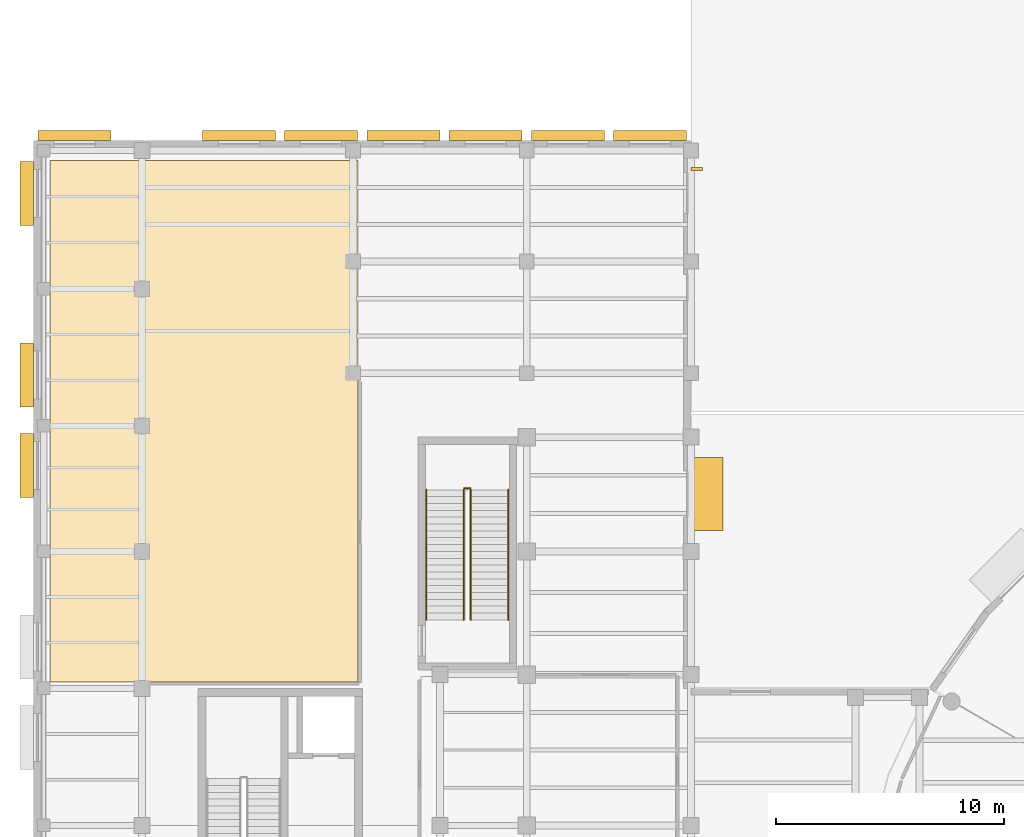
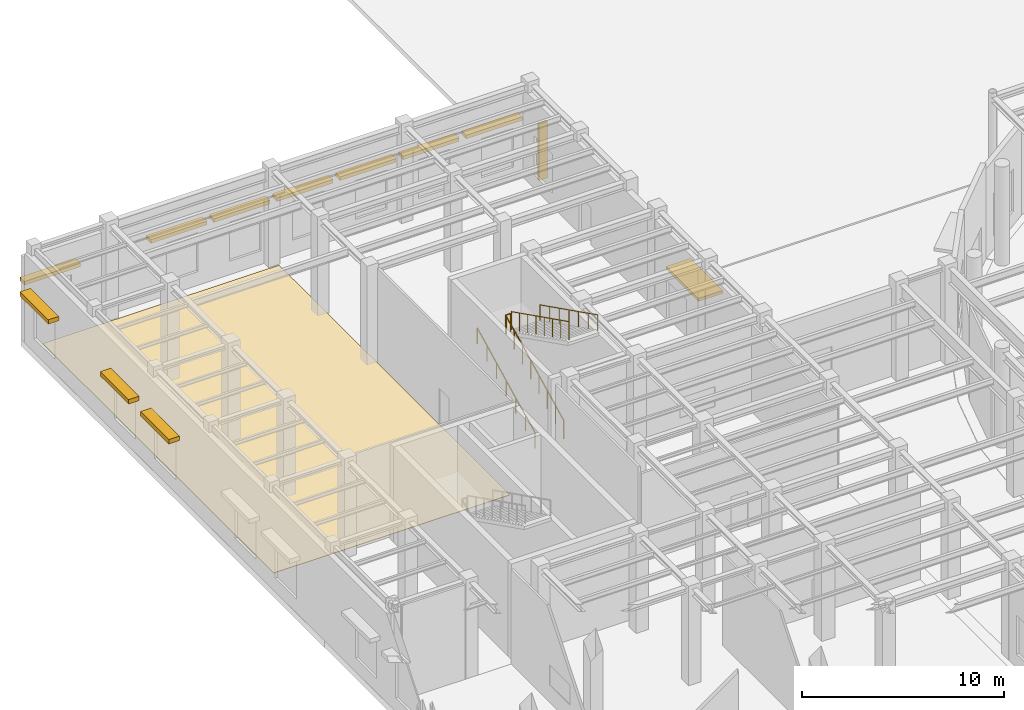
# One storey, part 109 of 118: 12 shading devices, 5 railings, 1 covering, 1 element without a shape of its own.
"""IFC4 building model written with IfcOpenShell, lengths in metres."""

from ifc_helpers import new_model, si_unit, direction, frame, origin, origin_2d, place, context, subcontext, project, spatial, polyline, rectangle, circle, outline, extrude, material, layer, layer_set, type_object, element, aggregate, save


model = new_model("IFC4")

# Units and contexts
model_context = context("Model", 3, precision=1e-05, world=origin(), true_north=direction((0.0, 1.0)))
body_context = subcontext(model_context, "Body", "Model", "MODEL_VIEW")
ifc_project = project(units=[si_unit("LENGTHUNIT", "METRE"), si_unit("AREAUNIT", "SQUARE_METRE"), si_unit("VOLUMEUNIT", "CUBIC_METRE"), si_unit("PLANEANGLEUNIT", "RADIAN"), si_unit("MASSUNIT", "GRAM", prefix="KILO")], contexts=[model_context])

# Site, building, storey
site_placement = place(None, origin())
site = spatial("IfcSite", under=ifc_project, at=site_placement, CompositionType="ELEMENT")
building_placement = place(site_placement, origin())
building = spatial("IfcBuilding", under=site, at=building_placement, Name="Kolvaren Corner Interchange", CompositionType="ELEMENT")
storey_placement = place(building_placement, origin())
storey = spatial("IfcBuildingStorey", under=building, at=storey_placement, Name="L01", CompositionType="ELEMENT", Elevation=0.0)

# Covering
ifc_material_1 = material(Name="Polished Niger Delta Granite Terrazzo Flooring", Category="masonry")
ifc_layer = layer(ifc_material_1, 0.030029296875)
ifc_layer_set = layer_set([ifc_layer], Name="Polished Niger Delta Granite Terrazzo Flooring")
covering_type = type_object("IfcCoveringType", Name="COV-FLR-TER30", PredefinedType="FLOORING", material=ifc_layer_set)
covering_placement = place(storey_placement, origin())
element("IfcCovering", 1, at=covering_placement, inside=storey, type_object=covering_type, Name="L01 Station Security and Lost Property Floor Finish", PredefinedType="FLOORING", context=body_context, shape_type="SweptSolid", body=[
    extrude(outline(polyline([(0.72998046875, 60.280029296875), (14.219970703125, 60.280029296875), (14.219970703125, 83.1201171875), (0.72998046875, 83.1201171875), (0.72998046875, 60.280029296875)])), origin(), (0.0, 0.0, 1.0), 0.030029296875),
])

# Stair, railings
ifc_material_2 = material(Name="Concrete C35/45", Category="concrete")
stair_type = type_object("IfcStairType", Name="ST-OP-1750", PredefinedType="HALF_TURN_STAIR", material=ifc_material_2)
stair_placement = place(storey_placement, origin())
stair = element("IfcStair", 2, at=stair_placement, inside=storey, type_object=stair_type, Name="Operations North Wing Protected Exit Stair L01 to L02 Stair", PredefinedType="HALF_TURN_STAIR")
ifc_material_3 = material(Name="Powder-Coated Steel Stairwell Guardrail", Category="steel")
railing_type_1 = type_object("IfcRailingType", Name="RLT-STAIR-GRD1120", PredefinedType="GUARDRAIL", material=ifc_material_3)
railing_1_placement = place(storey_placement, frame((18.85009765625, 63.0, 0.14990234375)))
railing_1 = element("IfcRailing", 3, at=railing_1_placement, type_object=railing_type_1, Name="Operations North Wing Protected Exit Stair L01 Lower Flight Well Guardrail", PredefinedType="GUARDRAIL", context=body_context, shape_type="SweptSolid", body=[
    extrude(circle(Radius=0.02392578125, at=origin_2d()), frame((0.0, 0.0, 1.09619140625), z_axis=(0.0, 0.894419528903, 0.447228919365), x_axis=(-1.0, 0.0, 0.0)), (0.0, 0.0, 1.0), 6.372802734375),
    extrude(circle(Radius=0.02001953125, at=origin_2d()), origin(), (0.0, 0.0, 1.0), 1.072021484375),
    extrude(circle(Radius=0.02001953125, at=origin_2d()), frame((0.0, 0.814208984375, 0.4072265625)), (0.0, 0.0, 1.0), 1.072021484375),
    extrude(circle(Radius=0.02001953125, at=origin_2d()), frame((0.0, 1.628662109375, 0.814208984375)), (0.0, 0.0, 1.0), 1.072021484375),
    extrude(circle(Radius=0.02001953125, at=origin_2d()), frame((0.0, 2.44287109375, 1.221435546875)), (0.0, 0.0, 1.0), 1.072021484375),
    extrude(circle(Radius=0.02001953125, at=origin_2d()), frame((0.0, 3.257080078125, 1.628662109375)), (0.0, 0.0, 1.0), 1.072021484375),
    extrude(circle(Radius=0.02001953125, at=origin_2d()), frame((0.0, 4.0712890625, 2.035888671875)), (0.0, 0.0, 1.0), 1.072021484375),
    extrude(circle(Radius=0.02001953125, at=origin_2d()), frame((0.0, 4.8857421875, 2.44287109375)), (0.0, 0.0, 1.0), 1.072021484375),
    extrude(circle(Radius=0.02001953125, at=origin_2d()), frame((0.0, 5.699951171875, 2.85009765625)), (0.0, 0.0, 1.0), 1.072021484375),
])
railing_2_placement = place(storey_placement, frame((18.860107421875, 68.760009765625, 3.0)))
railing_2 = element("IfcRailing", 4, at=railing_2_placement, type_object=railing_type_1, Name="Operations North Wing Protected Exit Stair L01 Half Landing Well Guardrail", PredefinedType="GUARDRAIL", context=body_context, shape_type="SweptSolid", body=[
    extrude(circle(Radius=0.02392578125, at=origin_2d()), frame((0.0, 0.0, 1.09619140625), z_axis=(1.0, 0.0, 0.0), x_axis=(0.0, 1.0, 0.0)), (0.0, 0.0, 1.0), 0.27978515625),
    extrude(circle(Radius=0.02001953125, at=origin_2d()), origin(), (0.0, 0.0, 1.0), 1.072021484375),
    extrude(circle(Radius=0.02001953125, at=origin_2d()), frame((0.27978515625, 0.0, 0.0)), (0.0, 0.0, 1.0), 1.072021484375),
])
railing_3_placement = place(storey_placement, frame((19.14990234375, 68.699951171875, 3.14990234375)))
railing_3 = element("IfcRailing", 5, at=railing_3_placement, type_object=railing_type_1, Name="Operations North Wing Protected Exit Stair L01 Upper Flight Well Guardrail", PredefinedType="GUARDRAIL", context=body_context, shape_type="SweptSolid", body=[
    extrude(circle(Radius=0.02392578125, at=origin_2d()), frame((0.0, 0.0, 1.09619140625), z_axis=(0.0, -0.894419528903, 0.447228919365), x_axis=(1.0, 0.0, 0.0)), (0.0, 0.0, 1.0), 6.372802734375),
    extrude(circle(Radius=0.02001953125, at=origin_2d()), origin(), (0.0, 0.0, 1.0), 1.072021484375),
    extrude(circle(Radius=0.02001953125, at=origin_2d()), frame((0.0, -0.814208984375, 0.4072265625)), (0.0, 0.0, 1.0), 1.072021484375),
    extrude(circle(Radius=0.02001953125, at=origin_2d()), frame((0.0, -1.628662109375, 0.814208984375)), (0.0, 0.0, 1.0), 1.072021484375),
    extrude(circle(Radius=0.02001953125, at=origin_2d()), frame((0.0, -2.44287109375, 1.221435546875)), (0.0, 0.0, 1.0), 1.072021484375),
    extrude(circle(Radius=0.02001953125, at=origin_2d()), frame((0.0, -3.257080078125, 1.628662109375)), (0.0, 0.0, 1.0), 1.072021484375),
    extrude(circle(Radius=0.02001953125, at=origin_2d()), frame((0.0, -4.0712890625, 2.035888671875)), (0.0, 0.0, 1.0), 1.072021484375),
    extrude(circle(Radius=0.02001953125, at=origin_2d()), frame((0.0, -4.8857421875, 2.44287109375)), (0.0, 0.0, 1.0), 1.072021484375),
    extrude(circle(Radius=0.02001953125, at=origin_2d()), frame((0.0, -5.699951171875, 2.85009765625)), (0.0, 0.0, 1.0), 1.072021484375),
])
ifc_material_4 = material(Name="Brushed Stainless Steel Stair Handrail", Category="steel")
railing_type_2 = type_object("IfcRailingType", Name="RLT-STAIR-HR950", PredefinedType="HANDRAIL", material=ifc_material_4)
railing_4_placement = place(storey_placement, frame((17.2099609375, 63.0, 0.14990234375)))
railing_4 = element("IfcRailing", 6, at=railing_4_placement, type_object=railing_type_2, Name="Operations North Wing Protected Exit Stair L01 Lower Flight Wall Handrail", PredefinedType="HANDRAIL", context=body_context, shape_type="SweptSolid", body=[
    extrude(circle(Radius=0.02197265625, at=origin_2d()), frame((0.0, 0.0, 0.927978515625), z_axis=(0.0, 0.894419528903, 0.447228919365), x_axis=(-1.0, 0.0, 0.0)), (0.0, 0.0, 1.0), 6.372802734375),
    extrude(circle(Radius=0.01806640625, at=origin_2d()), origin(), (0.0, 0.0, 1.0), 0.906005859375),
    extrude(circle(Radius=0.01806640625, at=origin_2d()), frame((0.0, 0.949951171875, 0.47509765625)), (0.0, 0.0, 1.0), 0.906005859375),
    extrude(circle(Radius=0.01806640625, at=origin_2d()), frame((0.0, 1.89990234375, 0.949951171875)), (0.0, 0.0, 1.0), 0.906005859375),
    extrude(circle(Radius=0.01806640625, at=origin_2d()), frame((0.0, 2.85009765625, 1.425048828125)), (0.0, 0.0, 1.0), 0.906005859375),
    extrude(circle(Radius=0.01806640625, at=origin_2d()), frame((0.0, 3.800048828125, 1.900146484375)), (0.0, 0.0, 1.0), 0.906005859375),
    extrude(circle(Radius=0.01806640625, at=origin_2d()), frame((0.0, 4.75, 2.375)), (0.0, 0.0, 1.0), 0.906005859375),
    extrude(circle(Radius=0.01806640625, at=origin_2d()), frame((0.0, 5.699951171875, 2.85009765625)), (0.0, 0.0, 1.0), 0.906005859375),
])
railing_5_placement = place(storey_placement, frame((20.7900390625, 68.699951171875, 3.14990234375)))
railing_5 = element("IfcRailing", 7, at=railing_5_placement, type_object=railing_type_2, Name="Operations North Wing Protected Exit Stair L01 Upper Flight Wall Handrail", PredefinedType="HANDRAIL", context=body_context, shape_type="SweptSolid", body=[
    extrude(circle(Radius=0.02197265625, at=origin_2d()), frame((0.0, 0.0, 0.927978515625), z_axis=(0.0, -0.894419528903, 0.447228919365), x_axis=(1.0, 0.0, 0.0)), (0.0, 0.0, 1.0), 6.372802734375),
    extrude(circle(Radius=0.01806640625, at=origin_2d()), origin(), (0.0, 0.0, 1.0), 0.906005859375),
    extrude(circle(Radius=0.01806640625, at=origin_2d()), frame((0.0, -0.949951171875, 0.47509765625)), (0.0, 0.0, 1.0), 0.906005859375),
    extrude(circle(Radius=0.01806640625, at=origin_2d()), frame((0.0, -1.89990234375, 0.949951171875)), (0.0, 0.0, 1.0), 0.906005859375),
    extrude(circle(Radius=0.01806640625, at=origin_2d()), frame((0.0, -2.85009765625, 1.425048828125)), (0.0, 0.0, 1.0), 0.906005859375),
    extrude(circle(Radius=0.01806640625, at=origin_2d()), frame((0.0, -3.800048828125, 1.900146484375)), (0.0, 0.0, 1.0), 0.906005859375),
    extrude(circle(Radius=0.01806640625, at=origin_2d()), frame((0.0, -4.75, 2.375)), (0.0, 0.0, 1.0), 0.906005859375),
    extrude(circle(Radius=0.01806640625, at=origin_2d()), frame((0.0, -5.699951171875, 2.85009765625)), (0.0, 0.0, 1.0), 0.906005859375),
])
aggregate(stair, [railing_1, railing_2, railing_3, railing_4, railing_5])

# Shading devices
ifc_material_5 = material(Name="Glazed Ochre Ceramic Baguette Solar Louvre")
shading_device_type_1 = type_object("IfcShadingDeviceType", Name="SHD-BAG-H450", PredefinedType="JALOUSIE", material=ifc_material_5)
for number, where, z_axis, x_axis, name in (
    (8, (27.0, 84.215087890625, 3.2001953125), (0.0, 0.0, 1.0), (-1.0, 0.0, 0.0), "L01 Ceramic Solar Shading 0010"),
    (9, (23.39990234375, 84.215087890625, 3.2001953125), (0.0, 0.0, 1.0), (-1.0, 0.0, 0.0), "L01 Ceramic Solar Shading 0011"),
    (10, (19.800048828125, 84.215087890625, 3.2001953125), (0.0, 0.0, 1.0), (-1.0, 0.0, 0.0), "L01 Ceramic Solar Shading 0012"),
    (11, (16.199951171875, 84.215087890625, 3.2001953125), (0.0, 0.0, 1.0), (-1.0, 0.0, 0.0), "L01 Ceramic Solar Shading 0013"),
    (12, (12.60009765625, 84.215087890625, 3.2001953125), (0.0, 0.0, 1.0), (-1.0, 0.0, 0.0), "L01 Ceramic Solar Shading 0014"),
    (13, (9.0, 84.215087890625, 3.2001953125), (0.0, 0.0, 1.0), (-1.0, 0.0, 0.0), "L01 Ceramic Solar Shading 0015"),
    (14, (1.800048828125, 84.215087890625, 3.2001953125), (0.0, 0.0, 1.0), (-1.0, 0.0, 0.0), "L01 Ceramic Solar Shading 0016"),
):
    element("IfcShadingDevice", number, at=place(storey_placement, frame(where, z_axis=z_axis, x_axis=x_axis)), inside=storey, type_object=shading_device_type_1, Name=name, PredefinedType="JALOUSIE", context=body_context, shape_type="SweptSolid", body=[
        extrude(rectangle(XDim=3.199951171875, YDim=0.449951171875, at=origin_2d()), origin(), (0.0, 0.0, 1.0), 0.219970703125),
    ])
ifc_material_6 = material(Name="Cream Ceramic Baguette Brise-Soleil")
shading_device_type_2 = type_object("IfcShadingDeviceType", Name="SHD-BAG-H600", PredefinedType="JALOUSIE", material=ifc_material_6)
for number, where, z_axis, x_axis, name in (
    (15, (-0.2900390625, 81.67431640625, 3.3798828125), (0.0, 0.0, 1.0), (0.0, -1.0, 0.0), "L01 Ceramic Solar Shading 0017"),
    (16, (-0.2900390625, 73.730712890625, 3.3798828125), (0.0, 0.0, 1.0), (0.0, -1.0, 0.0), "L01 Ceramic Solar Shading 0018"),
    (17, (-0.2900390625, 69.75927734375, 3.3798828125), (0.0, 0.0, 1.0), (0.0, -1.0, 0.0), "L01 Ceramic Solar Shading 0019"),
):
    element("IfcShadingDevice", number, at=place(storey_placement, frame(where, z_axis=z_axis, x_axis=x_axis)), inside=storey, type_object=shading_device_type_2, Name=name, PredefinedType="JALOUSIE", context=body_context, shape_type="SweptSolid", body=[
        extrude(rectangle(XDim=2.800048828125, YDim=0.60009765625, at=origin_2d()), origin(), (0.0, 0.0, 1.0), 0.260009765625),
    ])
ifc_material_7 = material(Name="Anodised Aluminium Entrance Rain Canopy", Category="aluminium")
shading_device_type_3 = type_object("IfcShadingDeviceType", Name="SHD-CAN-1400", PredefinedType="AWNING", material=ifc_material_7)
shading_device_1_placement = place(storey_placement, frame((29.489990234375, 68.517578125, 2.56005859375), z_axis=(0.0, 0.0, 1.0), x_axis=(0.0, 1.0, 0.0)))
element("IfcShadingDevice", 18, at=shading_device_1_placement, inside=storey, type_object=shading_device_type_3, Name="Entrance Monsoon Rain Canopy 003", PredefinedType="AWNING", context=body_context, shape_type="SweptSolid", body=[
    extrude(rectangle(XDim=3.199951171875, YDim=1.39990234375, at=origin_2d()), origin(), (0.0, 0.0, 1.0), 0.179931640625),
])
ifc_material_8 = material(Name="Vertical Terracotta Solar Fin", Category="masonry")
shading_device_type_4 = type_object("IfcShadingDeviceType", Name="SHD-FIN-V500", PredefinedType="USERDEFINED", material=ifc_material_8)
shading_device_2_placement = place(storey_placement, frame((29.0400390625, 82.748291015625, 0.295166015625), z_axis=(0.0, 0.0, 1.0), x_axis=(0.0, 1.0, 0.0)))
element("IfcShadingDevice", 19, at=shading_device_2_placement, inside=storey, type_object=shading_device_type_4, Name="L01 Ceramic Solar Shading 0009", ObjectType="SUNSHADE", PredefinedType="USERDEFINED", context=body_context, shape_type="SweptSolid", body=[
    extrude(rectangle(XDim=0.139892578125, YDim=0.5, at=origin_2d()), origin(), (0.0, 0.0, 1.0), 3.39990234375),
])

save(model, "model.ifc")
